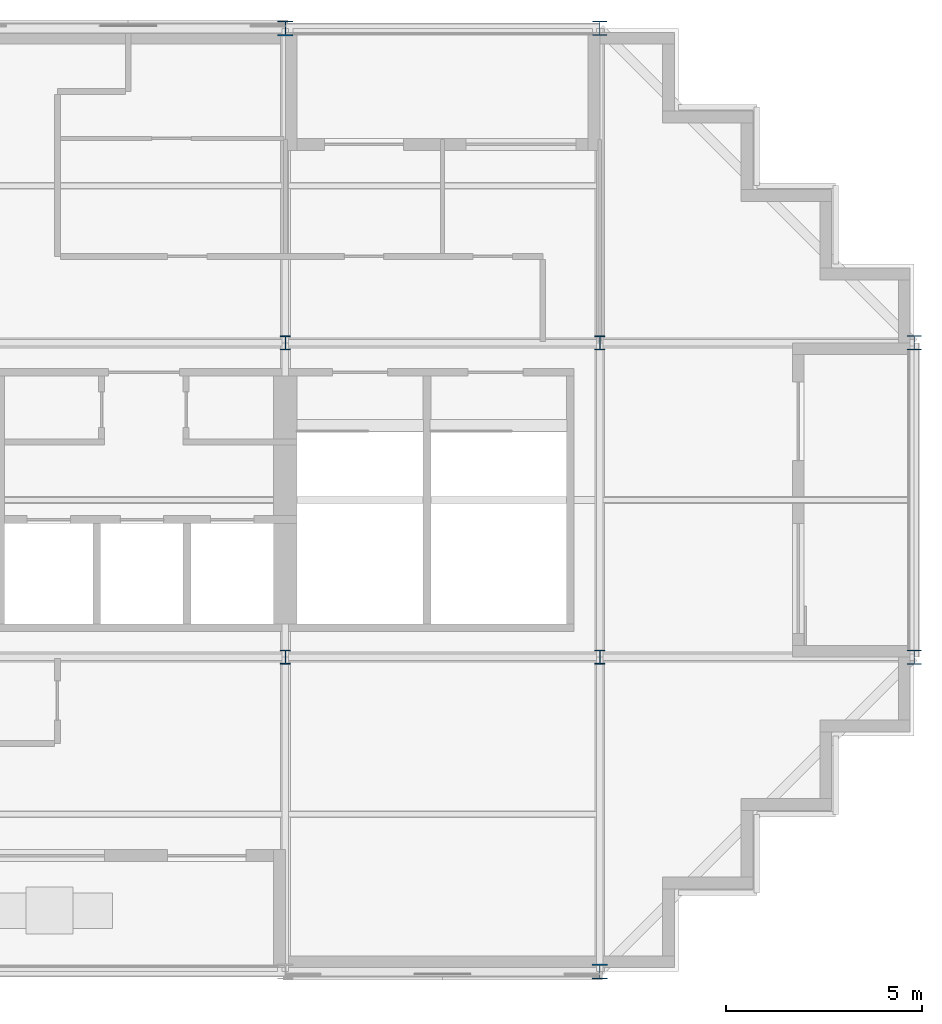
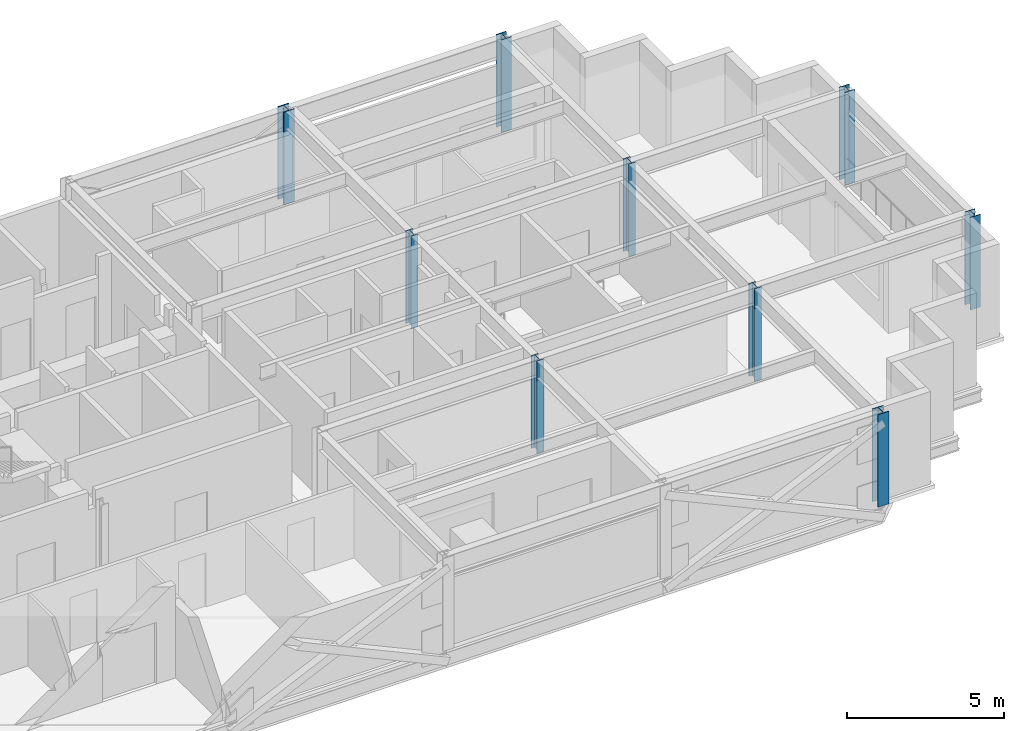
# One storey, part 2 of 10: 9 columns.
"""IFC4 building model written with IfcOpenShell, lengths in metres."""

from ifc_helpers import new_model, si_unit, direction, frame, origin, origin_2d, place, context, subcontext, project, spatial, i_section, extrude, material, material_profile, profile_set, type_object, element, save


model = new_model("IFC4")

# Units and contexts
model_context = context("Model", 3, precision=1e-05, world=origin(), true_north=direction((0.0, 1.0)))
body_context = subcontext(model_context, "Body", "Model", "MODEL_VIEW")
ifc_project = project(units=[si_unit("LENGTHUNIT", "METRE"), si_unit("AREAUNIT", "SQUARE_METRE"), si_unit("VOLUMEUNIT", "CUBIC_METRE"), si_unit("PLANEANGLEUNIT", "RADIAN"), si_unit("MASSUNIT", "GRAM", prefix="KILO")], contexts=[model_context])

# Site, building, storey
site_placement = place(None, origin())
site = spatial("IfcSite", under=ifc_project, at=site_placement, CompositionType="ELEMENT")
building_placement = place(site_placement, origin())
building = spatial("IfcBuilding", under=site, at=building_placement, Name="Immortelle Media Tower", CompositionType="ELEMENT")
storey_placement = place(building_placement, frame((0.0, 0.0, 295.0)))
storey = spatial("IfcBuildingStorey", under=building, at=storey_placement, Name="L65", CompositionType="ELEMENT", Elevation=295.0)

# Columns
ifc_material = material(Name="Steel ASTM A992 Gr 50", Category="steel")
ifc_material_profile_1 = material_profile(ifc_material, i_section(OverallWidth=0.373046875, OverallDepth=0.367919921875, WebThickness=0.014892578125, FlangeThickness=0.02392578125, at=origin_2d()), Name="W14x120")
ifc_profile_set_1 = profile_set([ifc_material_profile_1], Name="Steel ASTM A992 Gr 50")
column_type_1 = type_object("IfcColumnType", Name="W14x120 column", PredefinedType="COLUMN", material=ifc_profile_set_1)
for number, where, z_axis, x_axis, name in (
    (1, (40.0, 24.0, 0.0), (0.0, 0.0, 1.0), (1.0, 0.0, 0.0), "Column 6/D"),
    (2, (48.0, 8.0, 0.0), (0.0, 0.0, 1.0), (1.0, 0.0, 0.0), "Column 7/B"),
    (3, (48.0, 16.0, 0.0), (0.0, 0.0, 1.0), (1.0, 0.0, 0.0), "Column 7/C"),
):
    element("IfcColumn", number, at=place(storey_placement, frame(where, z_axis=z_axis, x_axis=x_axis)), inside=storey, type_object=column_type_1, Name=name, PredefinedType="COLUMN", context=body_context, shape_type="SweptSolid", body=[
        extrude(i_section(OverallWidth=0.373046875, OverallDepth=0.367919921875, WebThickness=0.014892578125, FlangeThickness=0.02392578125, at=origin_2d()), origin(), (0.0, 0.0, 1.0), 3.60009765625),
    ])
ifc_material_profile_2 = material_profile(ifc_material, i_section(OverallWidth=0.39892578125, OverallDepth=0.385986328125, WebThickness=0.02099609375, FlangeThickness=0.032958984375, at=origin_2d()), Name="W14x176")
ifc_profile_set_2 = profile_set([ifc_material_profile_2], Name="Steel ASTM A992 Gr 50")
column_type_2 = type_object("IfcColumnType", Name="W14x176 column", PredefinedType="COLUMN", material=ifc_profile_set_2)
for number, where, z_axis, x_axis, name in (
    (4, (32.0, 24.0, 0.0), (0.0, 0.0, 1.0), (1.0, 0.0, 0.0), "Column 5/D"),
    (5, (40.0, 0.0, 0.0), (0.0, 0.0, 1.0), (1.0, 0.0, 0.0), "Column 6/A"),
):
    element("IfcColumn", number, at=place(storey_placement, frame(where, z_axis=z_axis, x_axis=x_axis)), inside=storey, type_object=column_type_2, Name=name, PredefinedType="COLUMN", context=body_context, shape_type="SweptSolid", body=[
        extrude(i_section(OverallWidth=0.39892578125, OverallDepth=0.385986328125, WebThickness=0.02099609375, FlangeThickness=0.032958984375, at=origin_2d()), origin(), (0.0, 0.0, 1.0), 3.60009765625),
    ])
ifc_material_profile_3 = material_profile(ifc_material, i_section(OverallWidth=0.257080078125, OverallDepth=0.363037109375, WebThickness=0.012939453125, FlangeThickness=0.02197265625, at=origin_2d()), Name="W14x82")
ifc_profile_set_3 = profile_set([ifc_material_profile_3], Name="Steel ASTM A992 Gr 50")
column_type_3 = type_object("IfcColumnType", Name="W14x82 column", PredefinedType="COLUMN", material=ifc_profile_set_3)
for number, where, z_axis, x_axis, name in (
    (6, (32.0, 8.0, 0.0), (0.0, 0.0, 1.0), (1.0, 0.0, 0.0), "Column 5/B"),
    (7, (32.0, 16.0, 0.0), (0.0, 0.0, 1.0), (1.0, 0.0, 0.0), "Column 5/C"),
    (8, (40.0, 8.0, 0.0), (0.0, 0.0, 1.0), (1.0, 0.0, 0.0), "Column 6/B"),
    (9, (40.0, 16.0, 0.0), (0.0, 0.0, 1.0), (1.0, 0.0, 0.0), "Column 6/C"),
):
    element("IfcColumn", number, at=place(storey_placement, frame(where, z_axis=z_axis, x_axis=x_axis)), inside=storey, type_object=column_type_3, Name=name, PredefinedType="COLUMN", context=body_context, shape_type="SweptSolid", body=[
        extrude(i_section(OverallWidth=0.257080078125, OverallDepth=0.363037109375, WebThickness=0.012939453125, FlangeThickness=0.02197265625, at=origin_2d()), origin(), (0.0, 0.0, 1.0), 3.60009765625),
    ])

save(model, "model.ifc")
